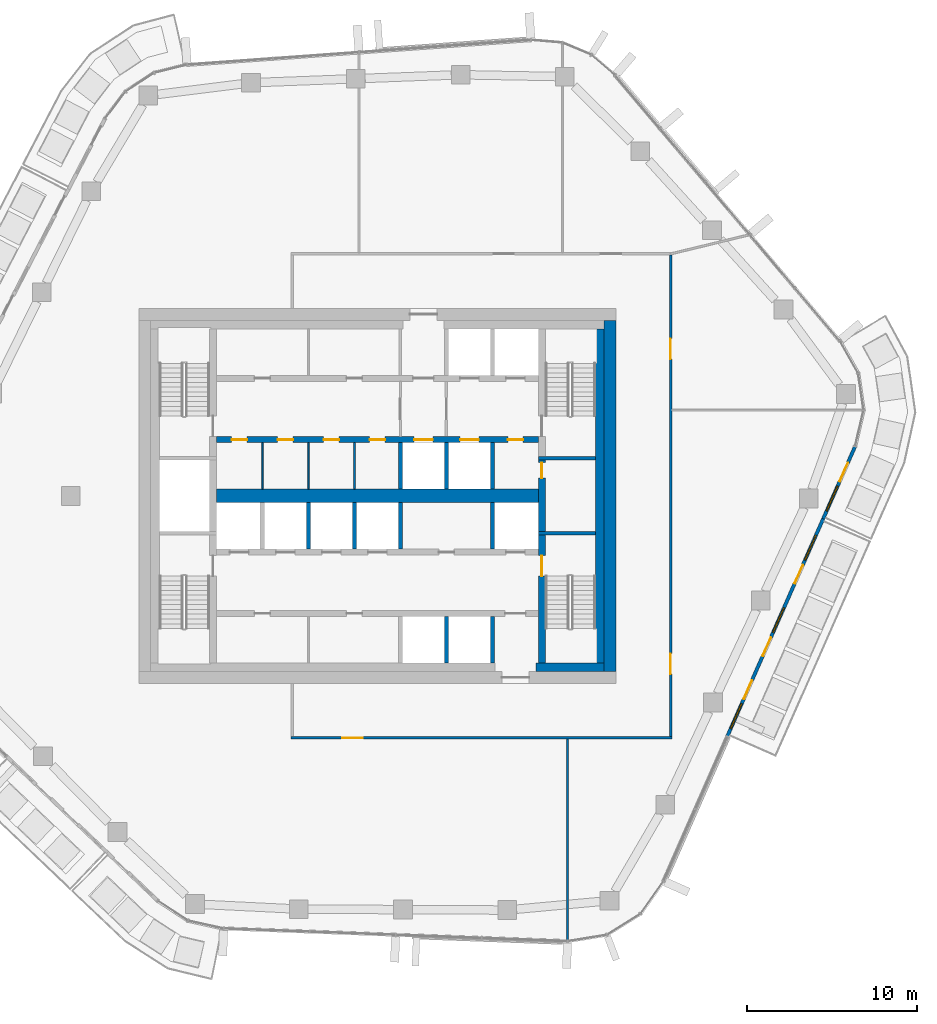
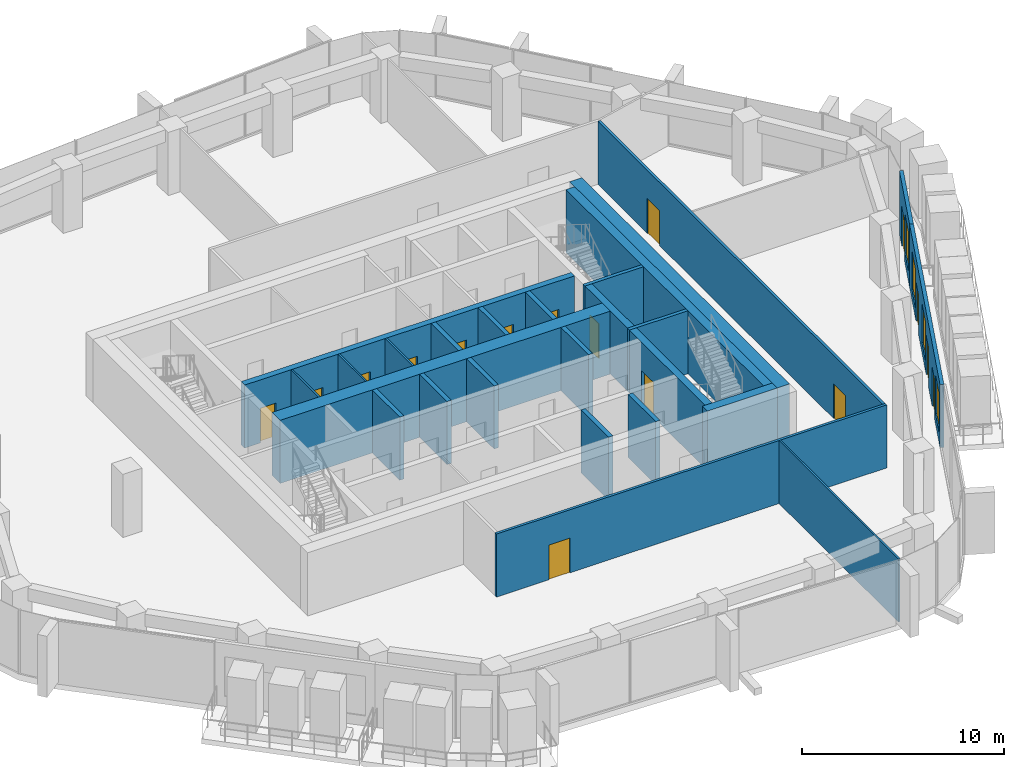
# One storey, part 12 of 21: 26 walls, 16 doors, 4 windows, 20 openings.
"""IFC4 building model written with IfcOpenShell, lengths in metres."""

from ifc_helpers import new_model, si_unit, direction, frame, frame_2d, origin, place, context, subcontext, project, spatial, rectangle, extrude, material, layer, layer_set, type_object, element, fill, save


model = new_model("IFC4")

# Units and contexts
model_context = context("Model", 3, precision=1e-05, world=origin(), true_north=direction((0.0, 1.0)))
body_context = subcontext(model_context, "Body", "Model", "MODEL_VIEW")
ifc_project = project(units=[si_unit("LENGTHUNIT", "METRE"), si_unit("AREAUNIT", "SQUARE_METRE"), si_unit("VOLUMEUNIT", "CUBIC_METRE"), si_unit("PLANEANGLEUNIT", "RADIAN"), si_unit("MASSUNIT", "GRAM", prefix="KILO")], contexts=[model_context])

# Site, building, storey
site_placement = place(None, origin())
site = spatial("IfcSite", under=ifc_project, at=site_placement, CompositionType="ELEMENT")
building_placement = place(site_placement, origin())
building = spatial("IfcBuilding", under=site, at=building_placement, Name="Dongbaek Canopy Tower", CompositionType="ELEMENT")
storey_placement = place(building_placement, frame((0.0, 0.0, 270.60009765625)))
storey = spatial("IfcBuildingStorey", under=building, at=storey_placement, Name="L57", CompositionType="ELEMENT", Elevation=270.60009765625)

# Wall
ifc_material_1 = material(Name="Concrete C60/75", Category="concrete")
ifc_layer_1 = layer(ifc_material_1, 0.800048828125)
ifc_layer_set_1 = layer_set([ifc_layer_1], Name="Core central wall 800 Concrete C60/75")
wall_type_1 = type_object("IfcWallType", Name="Core central wall 800 Concrete C60/75", PredefinedType="SHEAR", material=ifc_layer_set_1)
wall_1_placement = place(storey_placement, frame((-9.449951171875, 0.0, 0.0), z_axis=(0.0, 0.0, 1.0), x_axis=(1.0, 0.0, 0.0)))
element("IfcWall", 1, at=wall_1_placement, inside=storey, type_object=wall_type_1, Name="Core wall", PredefinedType="SHEAR", context=body_context, shape_type="SweptSolid", body=[
    extrude(rectangle(XDim=18.89990234375, YDim=0.800048828125, at=frame_2d((9.449951171875, 0.0))), origin(), (0.0, 0.0, 1.0), 3.81982421875),
])

# Wall, openings, doors
ifc_material_2 = material(Name="Concrete C60/75", Category="concrete")
ifc_layer_2 = layer(ifc_material_2, 0.35009765625)
ifc_layer_set_2 = layer_set([ifc_layer_2], Name="Core lobby wall 350 Concrete C60/75")
wall_type_2 = type_object("IfcWallType", Name="Core lobby wall 350 Concrete C60/75", PredefinedType="SHEAR", material=ifc_layer_set_2)
wall_2_placement = place(storey_placement, frame((9.449951171875, 3.300048828125, 0.0), z_axis=(0.0, 0.0, 1.0), x_axis=(-1.0, 0.0, 0.0)))
wall_2 = element("IfcWall", 2, at=wall_2_placement, inside=storey, type_object=wall_type_2, Name="Core wall", PredefinedType="SHEAR", context=body_context, shape_type="SweptSolid", body=[
    extrude(rectangle(XDim=18.89990234375, YDim=0.35009765625, at=frame_2d((9.449951171875, 0.0))), origin(), (0.0, 0.0, 1.0), 3.81982421875),
])
opening_1_placement = place(wall_2_placement, frame((6.199951171875, 0.0, 0.0)))
opening_1 = element("IfcOpeningElement", 3, at=opening_1_placement, cuts=wall_2, Name="Opening L57-D011", PredefinedType="OPENING", context=body_context, shape_type="SweptSolid", body=[
    extrude(rectangle(XDim=1.10009765625, YDim=2.10009765625, at=frame_2d((0.550048828125, 1.050048828125))), frame((0.0, 0.18505859375, 0.0), z_axis=(0.0, -1.0, 0.0), x_axis=(1.0, 0.0, 0.0)), (0.0, 0.0, 1.0), 0.3701171875),
])
opening_2_placement = place(wall_2_placement, frame((3.5, 0.0, 0.0)))
opening_2 = element("IfcOpeningElement", 4, at=opening_2_placement, cuts=wall_2, Name="Opening L57-D012", PredefinedType="OPENING", context=body_context, shape_type="SweptSolid", body=[
    extrude(rectangle(XDim=1.10009765625, YDim=2.10009765625, at=frame_2d((0.550048828125, 1.050048828125))), frame((0.0, 0.18505859375, 0.0), z_axis=(0.0, -1.0, 0.0), x_axis=(1.0, 0.0, 0.0)), (0.0, 0.0, 1.0), 0.3701171875),
])
opening_3_placement = place(wall_2_placement, frame((0.89990234375, 0.0, 0.0)))
opening_3 = element("IfcOpeningElement", 5, at=opening_3_placement, cuts=wall_2, Name="Opening L57-D013", PredefinedType="OPENING", context=body_context, shape_type="SweptSolid", body=[
    extrude(rectangle(XDim=0.89990234375, YDim=2.10009765625, at=frame_2d((0.449951171875, 1.050048828125))), frame((0.0, 0.18505859375, 0.0), z_axis=(0.0, -1.0, 0.0), x_axis=(1.0, 0.0, 0.0)), (0.0, 0.0, 1.0), 0.3701171875),
])
opening_4_placement = place(wall_2_placement, frame((17.10009765625, 0.0, 0.0)))
opening_4 = element("IfcOpeningElement", 6, at=opening_4_placement, cuts=wall_2, Name="Opening L57-D023", PredefinedType="OPENING", context=body_context, shape_type="SweptSolid", body=[
    extrude(rectangle(XDim=0.89990234375, YDim=2.10009765625, at=frame_2d((0.449951171875, 1.050048828125))), frame((0.0, 0.18505859375, 0.0), z_axis=(0.0, -1.0, 0.0), x_axis=(1.0, 0.0, 0.0)), (0.0, 0.0, 1.0), 0.3701171875),
])
opening_5_placement = place(wall_2_placement, frame((14.39990234375, 0.0, 0.0)))
opening_5 = element("IfcOpeningElement", 7, at=opening_5_placement, cuts=wall_2, Name="Opening L57-D024", PredefinedType="OPENING", context=body_context, shape_type="SweptSolid", body=[
    extrude(rectangle(XDim=0.89990234375, YDim=2.10009765625, at=frame_2d((0.449951171875, 1.050048828125))), frame((0.0, 0.18505859375, 0.0), z_axis=(0.0, -1.0, 0.0), x_axis=(1.0, 0.0, 0.0)), (0.0, 0.0, 1.0), 0.3701171875),
])
opening_6_placement = place(wall_2_placement, frame((11.699951171875, 0.0, 0.0)))
opening_6 = element("IfcOpeningElement", 8, at=opening_6_placement, cuts=wall_2, Name="Opening L57-D025", PredefinedType="OPENING", context=body_context, shape_type="SweptSolid", body=[
    extrude(rectangle(XDim=0.89990234375, YDim=2.10009765625, at=frame_2d((0.449951171875, 1.050048828125))), frame((0.0, 0.18505859375, 0.0), z_axis=(0.0, -1.0, 0.0), x_axis=(1.0, 0.0, 0.0)), (0.0, 0.0, 1.0), 0.3701171875),
])
opening_7_placement = place(wall_2_placement, frame((9.0, 0.0, 0.0)))
opening_7 = element("IfcOpeningElement", 9, at=opening_7_placement, cuts=wall_2, Name="Opening L57-D026", PredefinedType="OPENING", context=body_context, shape_type="SweptSolid", body=[
    extrude(rectangle(XDim=0.89990234375, YDim=2.10009765625, at=frame_2d((0.449951171875, 1.050048828125))), frame((0.0, 0.18505859375, 0.0), z_axis=(0.0, -1.0, 0.0), x_axis=(1.0, 0.0, 0.0)), (0.0, 0.0, 1.0), 0.3701171875),
])
ifc_material_3 = material(Name="Steel", Category="steel")
door_type_1 = type_object("IfcDoorType", Name="Core room door 900 x 2100", OperationType="SINGLE_SWING_LEFT", PredefinedType="DOOR", material=ifc_material_3)
door_1_placement = place(opening_3_placement, origin())
door_1 = element("IfcDoor", 10, at=door_1_placement, inside=storey, type_object=door_type_1, Name="Door L57-D013", OperationType="SINGLE_SWING_LEFT", OverallHeight=2.10009765625, OverallWidth=0.89990234375, PredefinedType="DOOR", context=body_context, shape_type="SweptSolid", body=[
    extrude(rectangle(XDim=0.89990234375, YDim=2.10009765625, at=frame_2d((0.449951171875, 1.050048828125))), frame((0.0, 0.02490234375, 0.0), z_axis=(0.0, -1.0, 0.0), x_axis=(1.0, 0.0, 0.0)), (0.0, 0.0, 1.0), 0.050048828125),
])
fill(opening_3, door_1)
door_2_placement = place(opening_4_placement, origin())
door_2 = element("IfcDoor", 11, at=door_2_placement, inside=storey, type_object=door_type_1, Name="Door L57-D023", OperationType="SINGLE_SWING_RIGHT", OverallHeight=2.10009765625, OverallWidth=0.89990234375, PredefinedType="DOOR", context=body_context, shape_type="SweptSolid", body=[
    extrude(rectangle(XDim=0.89990234375, YDim=2.10009765625, at=frame_2d((0.449951171875, 1.050048828125))), frame((0.0, 0.02490234375, 0.0), z_axis=(0.0, -1.0, 0.0), x_axis=(1.0, 0.0, 0.0)), (0.0, 0.0, 1.0), 0.050048828125),
])
fill(opening_4, door_2)
door_3_placement = place(opening_5_placement, origin())
door_3 = element("IfcDoor", 12, at=door_3_placement, inside=storey, type_object=door_type_1, Name="Door L57-D024", OperationType="SINGLE_SWING_LEFT", OverallHeight=2.10009765625, OverallWidth=0.89990234375, PredefinedType="DOOR", context=body_context, shape_type="SweptSolid", body=[
    extrude(rectangle(XDim=0.89990234375, YDim=2.10009765625, at=frame_2d((0.449951171875, 1.050048828125))), frame((0.0, 0.02490234375, 0.0), z_axis=(0.0, -1.0, 0.0), x_axis=(1.0, 0.0, 0.0)), (0.0, 0.0, 1.0), 0.050048828125),
])
fill(opening_5, door_3)
door_4_placement = place(opening_6_placement, origin())
door_4 = element("IfcDoor", 13, at=door_4_placement, inside=storey, type_object=door_type_1, Name="Door L57-D025", OperationType="SINGLE_SWING_RIGHT", OverallHeight=2.10009765625, OverallWidth=0.89990234375, PredefinedType="DOOR", context=body_context, shape_type="SweptSolid", body=[
    extrude(rectangle(XDim=0.89990234375, YDim=2.10009765625, at=frame_2d((0.449951171875, 1.050048828125))), frame((0.0, 0.02490234375, 0.0), z_axis=(0.0, -1.0, 0.0), x_axis=(1.0, 0.0, 0.0)), (0.0, 0.0, 1.0), 0.050048828125),
])
fill(opening_6, door_4)
door_5_placement = place(opening_7_placement, origin())
door_5 = element("IfcDoor", 14, at=door_5_placement, inside=storey, type_object=door_type_1, Name="Door L57-D026", OperationType="SINGLE_SWING_LEFT", OverallHeight=2.10009765625, OverallWidth=0.89990234375, PredefinedType="DOOR", context=body_context, shape_type="SweptSolid", body=[
    extrude(rectangle(XDim=0.89990234375, YDim=2.10009765625, at=frame_2d((0.449951171875, 1.050048828125))), frame((0.0, 0.02490234375, 0.0), z_axis=(0.0, -1.0, 0.0), x_axis=(1.0, 0.0, 0.0)), (0.0, 0.0, 1.0), 0.050048828125),
])
fill(opening_7, door_5)
ifc_material_4 = material(Name="Stainless steel", Category="steel")
door_type_2 = type_object("IfcDoorType", Name="Lift landing door 1100 x 2100", OperationType="DOUBLE_DOOR_SLIDING", PredefinedType="DOOR", material=ifc_material_4)
door_6_placement = place(opening_1_placement, origin())
door_6 = element("IfcDoor", 15, at=door_6_placement, inside=storey, type_object=door_type_2, Name="Landing door SV1", OperationType="DOUBLE_DOOR_SLIDING", OverallHeight=2.10009765625, OverallWidth=1.10009765625, PredefinedType="DOOR", context=body_context, shape_type="SweptSolid", body=[
    extrude(rectangle(XDim=1.10009765625, YDim=2.10009765625, at=frame_2d((0.550048828125, 1.050048828125))), frame((0.0, 0.02490234375, 0.0), z_axis=(0.0, -1.0, 0.0), x_axis=(1.0, 0.0, 0.0)), (0.0, 0.0, 1.0), 0.050048828125),
])
fill(opening_1, door_6)
door_7_placement = place(opening_2_placement, origin())
door_7 = element("IfcDoor", 16, at=door_7_placement, inside=storey, type_object=door_type_2, Name="Landing door FF3", OperationType="DOUBLE_DOOR_SLIDING", OverallHeight=2.10009765625, OverallWidth=1.10009765625, PredefinedType="DOOR", context=body_context, shape_type="SweptSolid", body=[
    extrude(rectangle(XDim=1.10009765625, YDim=2.10009765625, at=frame_2d((0.550048828125, 1.050048828125))), frame((0.0, 0.02490234375, 0.0), z_axis=(0.0, -1.0, 0.0), x_axis=(1.0, 0.0, 0.0)), (0.0, 0.0, 1.0), 0.050048828125),
])
fill(opening_2, door_7)

# Walls
ifc_material_5 = material(Name="Concrete C70/85", Category="concrete")
ifc_layer_3 = layer(ifc_material_5, 0.699951171875)
ifc_layer_set_3 = layer_set([ifc_layer_3], Name="Core outer wall 700 Concrete C70/85")
wall_type_3 = type_object("IfcWallType", Name="Core outer wall 700 Concrete C70/85", PredefinedType="SHEAR", material=ifc_layer_set_3)
wall_3_placement = place(storey_placement, frame((13.64990234375, 10.300048828125, 0.0), z_axis=(0.0, 0.0, 1.0), x_axis=(0.0, -1.0, 0.0)))
element("IfcWall", 17, at=wall_3_placement, inside=storey, type_object=wall_type_3, Name="Core wall", PredefinedType="SHEAR", context=body_context, shape_type="SweptSolid", body=[
    extrude(rectangle(XDim=20.60009765625, YDim=0.699951171875, at=frame_2d((10.300048828125, 0.0))), origin(), (0.0, 0.0, 1.0), 3.81982421875),
])
ifc_material_6 = material(Name="Concrete C60/75", Category="concrete")
ifc_layer_4 = layer(ifc_material_6, 0.5)
ifc_layer_set_4 = layer_set([ifc_layer_4], Name="Core wall lining 500 Concrete C60/75")
wall_type_4 = type_object("IfcWallType", Name="Core wall lining 500 Concrete C60/75", PredefinedType="SHEAR", material=ifc_layer_set_4)
wall_4_placement = place(storey_placement, frame((13.300048828125, -10.050048828125, 0.0), z_axis=(0.0, 0.0, 1.0), x_axis=(-1.0, 0.0, 0.0)))
element("IfcWall", 18, at=wall_4_placement, inside=storey, type_object=wall_type_4, Name="Core wall lining", PredefinedType="SHEAR", context=body_context, shape_type="SweptSolid", body=[
    extrude(rectangle(XDim=4.0, YDim=0.5, at=frame_2d((2.0, 0.0))), origin(), (0.0, 0.0, 1.0), 3.81982421875),
])
wall_5_placement = place(storey_placement, frame((13.050048828125, 9.800048828125, 0.0), z_axis=(0.0, 0.0, 1.0), x_axis=(0.0, -1.0, 0.0)))
element("IfcWall", 19, at=wall_5_placement, inside=storey, type_object=wall_type_4, Name="Core wall lining", PredefinedType="SHEAR", context=body_context, shape_type="SweptSolid", body=[
    extrude(rectangle(XDim=19.60009765625, YDim=0.5, at=frame_2d((9.800048828125, 0.0))), origin(), (0.0, 0.0, 1.0), 3.81982421875),
])

# Wall, opening, door
ifc_material_7 = material(Name="Gypsum board partition, steel stud, 2 x 15 mm fire board", Category="steel")
ifc_layer_5 = layer(ifc_material_7, 0.14990234375)
ifc_layer_set_5 = layer_set([ifc_layer_5], Name="Fire-rated partition 150 gypsum board")
wall_type_5 = type_object("IfcWallType", Name="Fire-rated partition 150 gypsum board", PredefinedType="PARTITIONING", material=ifc_layer_set_5)
wall_6_placement = place(storey_placement, frame((17.27490234375, -14.199951171875, 0.0), z_axis=(0.0, 0.0, 1.0), x_axis=(-1.0, 0.0, 0.0)))
wall_6 = element("IfcWall", 20, at=wall_6_placement, inside=storey, type_object=wall_type_5, Name="Corridor partition", PredefinedType="PARTITIONING", context=body_context, shape_type="SweptSolid", body=[
    extrude(rectangle(XDim=22.349853515625, YDim=0.14990234375, at=frame_2d((11.1748046875, 0.0))), origin(), (0.0, 0.0, 1.0), 3.81982421875),
])
opening_8_placement = place(wall_6_placement, frame((18.13232421875, 0.0, 0.0)))
opening_8 = element("IfcOpeningElement", 21, at=opening_8_placement, cuts=wall_6, Name="Opening L57-D001", PredefinedType="OPENING", context=body_context, shape_type="SweptSolid", body=[
    extrude(rectangle(XDim=1.199951171875, YDim=2.10009765625, at=frame_2d((0.60009765625, 1.050048828125))), frame((0.0, 0.0849609375, 0.0), z_axis=(0.0, -1.0, 0.0), x_axis=(1.0, 0.0, 0.0)), (0.0, 0.0, 1.0), 0.169921875),
])
ifc_material_8 = material(Name="Timber veneered door leaf", Category="wood")
door_type_3 = type_object("IfcDoorType", Name="Room door 1200 x 2100", OperationType="SINGLE_SWING_LEFT", PredefinedType="DOOR", material=ifc_material_8)
door_8_placement = place(opening_8_placement, origin())
door_8 = element("IfcDoor", 22, at=door_8_placement, inside=storey, type_object=door_type_3, Name="Door L57-D001", OperationType="SINGLE_SWING_RIGHT", OverallHeight=2.10009765625, OverallWidth=1.199951171875, PredefinedType="DOOR", context=body_context, shape_type="SweptSolid", body=[
    extrude(rectangle(XDim=1.199951171875, YDim=2.10009765625, at=frame_2d((0.60009765625, 1.050048828125))), frame((0.0, 0.02490234375, 0.0), z_axis=(0.0, -1.0, 0.0), x_axis=(1.0, 0.0, 0.0)), (0.0, 0.0, 1.0), 0.050048828125),
])
fill(opening_8, door_8)

# Wall, openings, doors
wall_7_placement = place(storey_placement, frame((17.199951171875, 14.125, 0.0), z_axis=(0.0, 0.0, 1.0), x_axis=(0.0, -1.0, 0.0)))
wall_7 = element("IfcWall", 23, at=wall_7_placement, inside=storey, type_object=wall_type_5, Name="Corridor partition", PredefinedType="PARTITIONING", context=body_context, shape_type="SweptSolid", body=[
    extrude(rectangle(XDim=28.25, YDim=0.14990234375, at=frame_2d((14.125, 0.0))), origin(), (0.0, 0.0, 1.0), 3.81982421875),
])
opening_9_placement = place(wall_7_placement, frame((23.378662109375, 0.0, 0.0)))
opening_9 = element("IfcOpeningElement", 24, at=opening_9_placement, cuts=wall_7, Name="Opening L57-D002", PredefinedType="OPENING", context=body_context, shape_type="SweptSolid", body=[
    extrude(rectangle(XDim=1.199951171875, YDim=2.10009765625, at=frame_2d((0.60009765625, 1.050048828125))), frame((0.0, 0.0849609375, 0.0), z_axis=(0.0, -1.0, 0.0), x_axis=(1.0, 0.0, 0.0)), (0.0, 0.0, 1.0), 0.169921875),
])
opening_10_placement = place(wall_7_placement, frame((4.90087890625, 0.0, 0.0)))
opening_10 = element("IfcOpeningElement", 25, at=opening_10_placement, cuts=wall_7, Name="Opening L57-D003", PredefinedType="OPENING", context=body_context, shape_type="SweptSolid", body=[
    extrude(rectangle(XDim=1.199951171875, YDim=2.10009765625, at=frame_2d((0.60009765625, 1.050048828125))), frame((0.0, 0.0849609375, 0.0), z_axis=(0.0, -1.0, 0.0), x_axis=(1.0, 0.0, 0.0)), (0.0, 0.0, 1.0), 0.169921875),
])
door_9_placement = place(opening_9_placement, origin())
door_9 = element("IfcDoor", 26, at=door_9_placement, inside=storey, type_object=door_type_3, Name="Door L57-D002", OperationType="SINGLE_SWING_LEFT", OverallHeight=2.10009765625, OverallWidth=1.199951171875, PredefinedType="DOOR", context=body_context, shape_type="SweptSolid", body=[
    extrude(rectangle(XDim=1.199951171875, YDim=2.10009765625, at=frame_2d((0.60009765625, 1.050048828125))), frame((0.0, 0.02490234375, 0.0), z_axis=(0.0, -1.0, 0.0), x_axis=(1.0, 0.0, 0.0)), (0.0, 0.0, 1.0), 0.050048828125),
])
fill(opening_9, door_9)
door_10_placement = place(opening_10_placement, origin())
door_10 = element("IfcDoor", 27, at=door_10_placement, inside=storey, type_object=door_type_3, Name="Door L57-D003", OperationType="SINGLE_SWING_RIGHT", OverallHeight=2.10009765625, OverallWidth=1.199951171875, PredefinedType="DOOR", context=body_context, shape_type="SweptSolid", body=[
    extrude(rectangle(XDim=1.199951171875, YDim=2.10009765625, at=frame_2d((0.60009765625, 1.050048828125))), frame((0.0, 0.02490234375, 0.0), z_axis=(0.0, -1.0, 0.0), x_axis=(1.0, 0.0, 0.0)), (0.0, 0.0, 1.0), 0.050048828125),
])
fill(opening_10, door_10)

# Walls
ifc_material_9 = material(Name="Concrete C40/50", Category="concrete")
ifc_layer_6 = layer(ifc_material_9, 0.25)
ifc_layer_set_6 = layer_set([ifc_layer_6], Name="Lift shaft wall 250 Concrete C40/50")
wall_type_6 = type_object("IfcWallType", Name="Lift shaft wall 250 Concrete C40/50", PredefinedType="SOLIDWALL", material=ifc_layer_set_6)
for number, where, z_axis, x_axis, name in (
    (28, (6.75, -9.800048828125, 0.0), (0.0, 0.0, 1.0), (0.0, 1.0, 0.0), "Lift shaft wall"),
    (29, (6.75, -3.125, 0.0), (0.0, 0.0, 1.0), (0.0, 1.0, 0.0), "Lift shaft wall"),
    (30, (6.75, 0.39990234375, 0.0), (0.0, 0.0, 1.0), (0.0, 1.0, 0.0), "Lift shaft wall"),
    (31, (4.050048828125, -9.800048828125, 0.0), (0.0, 0.0, 1.0), (0.0, 1.0, 0.0), "Lift shaft wall"),
    (32, (4.050048828125, 0.39990234375, 0.0), (0.0, 0.0, 1.0), (0.0, 1.0, 0.0), "Lift shaft wall"),
    (33, (1.35009765625, -3.125, 0.0), (0.0, 0.0, 1.0), (0.0, 1.0, 0.0), "Lift shaft wall"),
    (34, (1.35009765625, 0.39990234375, 0.0), (0.0, 0.0, 1.0), (0.0, 1.0, 0.0), "Lift shaft wall"),
    (35, (-1.35009765625, -3.125, 0.0), (0.0, 0.0, 1.0), (0.0, 1.0, 0.0), "Lift shaft wall"),
    (36, (-4.050048828125, -3.125, 0.0), (0.0, 0.0, 1.0), (0.0, 1.0, 0.0), "Lift shaft wall"),
):
    element("IfcWall", number, at=place(storey_placement, frame(where, z_axis=z_axis, x_axis=x_axis)), inside=storey, type_object=wall_type_6, Name=name, PredefinedType="SOLIDWALL", context=body_context, shape_type="SweptSolid", body=[
        extrude(rectangle(XDim=2.72509765625, YDim=0.25, at=frame_2d((1.362548828125, 0.0))), origin(), (0.0, 0.0, 1.0), 3.81982421875),
    ])
ifc_material_10 = material(Name="Gypsum board partition, steel stud, 2 x 12.5 mm board", Category="steel")
ifc_layer_7 = layer(ifc_material_10, 0.10009765625)
ifc_layer_set_7 = layer_set([ifc_layer_7], Name="Partition 100 gypsum board")
wall_type_7 = type_object("IfcWallType", Name="Partition 100 gypsum board", PredefinedType="PARTITIONING", material=ifc_layer_set_7)
wall_8_placement = place(storey_placement, frame((11.155029296875, -26.109619140625, 0.0), z_axis=(0.0, 0.0, 1.0), x_axis=(0.0, 1.0, 0.0)))
element("IfcWall", 37, at=wall_8_placement, inside=storey, type_object=wall_type_7, Name="Partition", PredefinedType="PARTITIONING", context=body_context, shape_type="SweptSolid", body=[
    extrude(rectangle(XDim=11.834716796875, YDim=0.10009765625, at=frame_2d((5.91748046875, 0.0))), origin(), (0.0, 0.0, 1.0), 3.81982421875),
])
for number, where, z_axis, x_axis, name in (
    (38, (-1.35009765625, 0.39990234375, 0.0), (0.0, 0.0, 1.0), (0.0, 1.0, 0.0), "Core partition"),
    (39, (-4.050048828125, 0.39990234375, 0.0), (0.0, 0.0, 1.0), (0.0, 1.0, 0.0), "Core partition"),
    (40, (-6.75, 0.39990234375, 0.0), (0.0, 0.0, 1.0), (0.0, 1.0, 0.0), "Core partition"),
):
    element("IfcWall", number, at=place(storey_placement, frame(where, z_axis=z_axis, x_axis=x_axis)), inside=storey, type_object=wall_type_7, Name=name, PredefinedType="PARTITIONING", context=body_context, shape_type="SweptSolid", body=[
        extrude(rectangle(XDim=2.72509765625, YDim=0.10009765625, at=frame_2d((1.362548828125, 0.0))), origin(), (0.0, 0.0, 1.0), 3.81982421875),
    ])
ifc_material_11 = material(Name="Concrete C60/75", Category="concrete")
ifc_layer_8 = layer(ifc_material_11, 0.199951171875)
ifc_layer_set_8 = layer_set([ifc_layer_8], Name="Riser wall 200 Concrete C60/75")
wall_type_8 = type_object("IfcWallType", Name="Riser wall 200 Concrete C60/75", PredefinedType="SHEAR", material=ifc_layer_set_8)
for number, where, z_axis, x_axis, name in (
    (41, (9.449951171875, 2.199951171875, 0.0), (0.0, 0.0, 1.0), (1.0, 0.0, 0.0), "Riser wall"),
    (42, (9.449951171875, -2.199951171875, 0.0), (0.0, 0.0, 1.0), (1.0, 0.0, 0.0), "Riser wall"),
):
    element("IfcWall", number, at=place(storey_placement, frame(where, z_axis=z_axis, x_axis=x_axis)), inside=storey, type_object=wall_type_8, Name=name, PredefinedType="SHEAR", context=body_context, shape_type="SweptSolid", body=[
        extrude(rectangle(XDim=3.35009765625, YDim=0.199951171875, at=frame_2d((1.675048828125, 0.0))), origin(), (0.0, 0.0, 1.0), 3.81982421875),
    ])

# Wall, opening, door
ifc_material_12 = material(Name="Concrete C60/75", Category="concrete")
ifc_layer_9 = layer(ifc_material_12, 0.39990234375)
ifc_layer_set_9 = layer_set([ifc_layer_9], Name="Stair wall 400 Concrete C60/75")
wall_type_9 = type_object("IfcWallType", Name="Stair wall 400 Concrete C60/75", PredefinedType="SHEAR", material=ifc_layer_set_9)
wall_9_placement = place(storey_placement, frame((9.64990234375, -2.300048828125, 0.0), z_axis=(0.0, 0.0, 1.0), x_axis=(0.0, -1.0, 0.0)))
wall_9 = element("IfcWall", 43, at=wall_9_placement, inside=storey, type_object=wall_type_9, Name="Stair wall", PredefinedType="SHEAR", context=body_context, shape_type="SweptSolid", body=[
    extrude(rectangle(XDim=7.5, YDim=0.39990234375, at=frame_2d((3.75, 0.0))), origin(), (0.0, 0.0, 1.0), 3.81982421875),
])
opening_11_placement = place(wall_9_placement, frame((1.199951171875, 0.0, 0.0)))
opening_11 = element("IfcOpeningElement", 44, at=opening_11_placement, cuts=wall_9, Name="Opening L57-D032", PredefinedType="OPENING", context=body_context, shape_type="SweptSolid", body=[
    extrude(rectangle(XDim=1.199951171875, YDim=2.10009765625, at=frame_2d((0.60009765625, 1.050048828125))), frame((0.0, 0.2099609375, 0.0), z_axis=(0.0, -1.0, 0.0), x_axis=(1.0, 0.0, 0.0)), (0.0, 0.0, 1.0), 0.419921875),
])
ifc_material_13 = material(Name="Steel", Category="steel")
door_type_4 = type_object("IfcDoorType", Name="Stair door 1200 x 2100", OperationType="SINGLE_SWING_LEFT", PredefinedType="DOOR", material=ifc_material_13)
door_11_placement = place(opening_11_placement, origin())
door_11 = element("IfcDoor", 45, at=door_11_placement, inside=storey, type_object=door_type_4, Name="Stair B door", OperationType="SINGLE_SWING_RIGHT", OverallHeight=2.10009765625, OverallWidth=1.199951171875, PredefinedType="DOOR", context=body_context, shape_type="SweptSolid", body=[
    extrude(rectangle(XDim=1.199951171875, YDim=2.10009765625, at=frame_2d((0.60009765625, 1.050048828125))), frame((0.0, 0.02490234375, 0.0), z_axis=(0.0, -1.0, 0.0), x_axis=(1.0, 0.0, 0.0)), (0.0, 0.0, 1.0), 0.050048828125),
])
fill(opening_11, door_11)

wall_10_placement = place(storey_placement, frame((9.64990234375, 2.10009765625, 0.0), z_axis=(0.0, 0.0, 1.0), x_axis=(0.0, -1.0, 0.0)))
wall_10 = element("IfcWall", 46, at=wall_10_placement, inside=storey, type_object=wall_type_9, Name="Stair wall", PredefinedType="SHEAR", context=body_context, shape_type="SweptSolid", body=[
    extrude(rectangle(XDim=4.2001953125, YDim=0.39990234375, at=frame_2d((2.10009765625, 0.0))), origin(), (0.0, 0.0, 1.0), 3.81982421875),
])
opening_12_placement = place(wall_10_placement, frame((0.14990234375, 0.0, 0.0)))
opening_12 = element("IfcOpeningElement", 47, at=opening_12_placement, cuts=wall_10, Name="Opening L57-D006", PredefinedType="OPENING", context=body_context, shape_type="SweptSolid", body=[
    extrude(rectangle(XDim=0.89990234375, YDim=2.10009765625, at=frame_2d((0.449951171875, 1.050048828125))), frame((0.0, 0.2099609375, 0.0), z_axis=(0.0, -1.0, 0.0), x_axis=(1.0, 0.0, 0.0)), (0.0, 0.0, 1.0), 0.419921875),
])
door_12_placement = place(opening_12_placement, origin())
door_12 = element("IfcDoor", 48, at=door_12_placement, inside=storey, type_object=door_type_1, Name="Door L57-D006", OperationType="SINGLE_SWING_RIGHT", OverallHeight=2.10009765625, OverallWidth=0.89990234375, PredefinedType="DOOR", context=body_context, shape_type="SweptSolid", body=[
    extrude(rectangle(XDim=0.89990234375, YDim=2.10009765625, at=frame_2d((0.449951171875, 1.050048828125))), frame((0.0, 0.02490234375, 0.0), z_axis=(0.0, -1.0, 0.0), x_axis=(1.0, 0.0, 0.0)), (0.0, 0.0, 1.0), 0.050048828125),
])
fill(opening_12, door_12)

# Wall, openings, doors, windows
ifc_material_14 = material(Name="Aluminium window wall", Category="aluminium")
ifc_layer_10 = layer(ifc_material_14, 0.199951171875)
ifc_layer_set_10 = layer_set([ifc_layer_10], Name="Window wall 200")
wall_type_10 = type_object("IfcWallType", Name="Window wall 200", PredefinedType="SOLIDWALL", material=ifc_layer_set_10)
wall_11_placement = place(storey_placement, frame((20.530517578125, -14.107177734375, 0.0), z_axis=(0.0, 0.0, 1.0), x_axis=(0.40328714446, 0.915073482904, 0.0)))
wall_11 = element("IfcWall", 49, at=wall_11_placement, inside=storey, type_object=wall_type_10, Name="Window wall L57 3", PredefinedType="SOLIDWALL", context=body_context, shape_type="SweptSolid", body=[
    extrude(rectangle(XDim=13.9443359375, YDim=0.199951171875, at=frame_2d((6.97216796875, 0.0))), origin(), (0.0, 0.0, 1.0), 3.81982421875),
])
opening_13_placement = place(wall_11_placement, frame((0.5, 0.0, 0.60009765625)))
opening_13 = element("IfcOpeningElement", 50, at=opening_13_placement, cuts=wall_11, Name="Opening W1", PredefinedType="OPENING", context=body_context, shape_type="SweptSolid", body=[
    extrude(rectangle(XDim=1.60009765625, YDim=2.39990234375, at=frame_2d((0.800048828125, 1.199951171875))), frame((0.0, 0.10986328125, 0.0), z_axis=(0.0, -1.0, 0.0), x_axis=(1.0, 0.0, 0.0)), (0.0, 0.0, 1.0), 0.219970703125),
])
opening_14_placement = place(wall_11_placement, frame((2.39990234375, 0.0, 0.0)))
opening_14 = element("IfcOpeningElement", 51, at=opening_14_placement, cuts=wall_11, Name="Opening L57-B08", PredefinedType="OPENING", context=body_context, shape_type="SweptSolid", body=[
    extrude(rectangle(XDim=1.199951171875, YDim=2.39990234375, at=frame_2d((0.60009765625, 1.199951171875))), frame((0.0, 0.10986328125, 0.0), z_axis=(0.0, -1.0, 0.0), x_axis=(1.0, 0.0, 0.0)), (0.0, 0.0, 1.0), 0.219970703125),
])
opening_15_placement = place(wall_11_placement, frame((6.648193359375, 0.0, 0.60009765625)))
opening_15 = element("IfcOpeningElement", 52, at=opening_15_placement, cuts=wall_11, Name="Opening W1", PredefinedType="OPENING", context=body_context, shape_type="SweptSolid", body=[
    extrude(rectangle(XDim=1.60009765625, YDim=2.39990234375, at=frame_2d((0.800048828125, 1.199951171875))), frame((0.0, 0.10986328125, 0.0), z_axis=(0.0, -1.0, 0.0), x_axis=(1.0, 0.0, 0.0)), (0.0, 0.0, 1.0), 0.219970703125),
])
opening_16_placement = place(wall_11_placement, frame((5.148193359375, 0.0, 0.0)))
opening_16 = element("IfcOpeningElement", 53, at=opening_16_placement, cuts=wall_11, Name="Opening L57-B09", PredefinedType="OPENING", context=body_context, shape_type="SweptSolid", body=[
    extrude(rectangle(XDim=1.199951171875, YDim=2.39990234375, at=frame_2d((0.60009765625, 1.199951171875))), frame((0.0, 0.10986328125, 0.0), z_axis=(0.0, -1.0, 0.0), x_axis=(1.0, 0.0, 0.0)), (0.0, 0.0, 1.0), 0.219970703125),
])
opening_17_placement = place(wall_11_placement, frame((11.296142578125, 0.0, 0.60009765625)))
opening_17 = element("IfcOpeningElement", 54, at=opening_17_placement, cuts=wall_11, Name="Opening W1", PredefinedType="OPENING", context=body_context, shape_type="SweptSolid", body=[
    extrude(rectangle(XDim=1.60009765625, YDim=2.39990234375, at=frame_2d((0.800048828125, 1.199951171875))), frame((0.0, 0.10986328125, 0.0), z_axis=(0.0, -1.0, 0.0), x_axis=(1.0, 0.0, 0.0)), (0.0, 0.0, 1.0), 0.219970703125),
])
opening_18_placement = place(wall_11_placement, frame((9.796142578125, 0.0, 0.0)))
opening_18 = element("IfcOpeningElement", 55, at=opening_18_placement, cuts=wall_11, Name="Opening L57-B10", PredefinedType="OPENING", context=body_context, shape_type="SweptSolid", body=[
    extrude(rectangle(XDim=1.199951171875, YDim=2.39990234375, at=frame_2d((0.60009765625, 1.199951171875))), frame((0.0, 0.10986328125, 0.0), z_axis=(0.0, -1.0, 0.0), x_axis=(1.0, 0.0, 0.0)), (0.0, 0.0, 1.0), 0.219970703125),
])
ifc_material_15 = material(Name="Clear glazing in aluminium frame", Category="aluminium")
door_type_5 = type_object("IfcDoorType", Name="Balcony door BD1 1200 x 2400", OperationType="SLIDING_TO_LEFT", PredefinedType="DOOR", material=ifc_material_15)
door_13_placement = place(opening_14_placement, origin())
door_13 = element("IfcDoor", 56, at=door_13_placement, inside=storey, type_object=door_type_5, Name="Balcony door L57-B08", OperationType="SLIDING_TO_LEFT", OverallHeight=2.39990234375, OverallWidth=1.199951171875, PredefinedType="DOOR", context=body_context, shape_type="SweptSolid", body=[
    extrude(rectangle(XDim=1.199951171875, YDim=2.39990234375, at=frame_2d((0.60009765625, 1.199951171875))), frame((0.0, 0.02490234375, 0.0), z_axis=(0.0, -1.0, 0.0), x_axis=(1.0, 0.0, 0.0)), (0.0, 0.0, 1.0), 0.050048828125),
])
fill(opening_14, door_13)
door_14_placement = place(opening_16_placement, origin())
door_14 = element("IfcDoor", 57, at=door_14_placement, inside=storey, type_object=door_type_5, Name="Balcony door L57-B09", OperationType="SLIDING_TO_LEFT", OverallHeight=2.39990234375, OverallWidth=1.199951171875, PredefinedType="DOOR", context=body_context, shape_type="SweptSolid", body=[
    extrude(rectangle(XDim=1.199951171875, YDim=2.39990234375, at=frame_2d((0.60009765625, 1.199951171875))), frame((0.0, 0.02490234375, 0.0), z_axis=(0.0, -1.0, 0.0), x_axis=(1.0, 0.0, 0.0)), (0.0, 0.0, 1.0), 0.050048828125),
])
fill(opening_16, door_14)
door_15_placement = place(opening_18_placement, origin())
door_15 = element("IfcDoor", 58, at=door_15_placement, inside=storey, type_object=door_type_5, Name="Balcony door L57-B10", OperationType="SLIDING_TO_LEFT", OverallHeight=2.39990234375, OverallWidth=1.199951171875, PredefinedType="DOOR", context=body_context, shape_type="SweptSolid", body=[
    extrude(rectangle(XDim=1.199951171875, YDim=2.39990234375, at=frame_2d((0.60009765625, 1.199951171875))), frame((0.0, 0.02490234375, 0.0), z_axis=(0.0, -1.0, 0.0), x_axis=(1.0, 0.0, 0.0)), (0.0, 0.0, 1.0), 0.050048828125),
])
fill(opening_18, door_15)
ifc_material_16 = material(Name="Clear glazing in aluminium frame", Category="aluminium")
window_type = type_object("IfcWindowType", Name="Window W1 1600 x 2400", PartitioningType="SINGLE_PANEL", PredefinedType="WINDOW", material=ifc_material_16)
window_1_placement = place(opening_13_placement, origin())
window_1 = element("IfcWindow", 59, at=window_1_placement, inside=storey, type_object=window_type, Name="Window L57 3.1", OverallHeight=2.39990234375, OverallWidth=1.60009765625, PartitioningType="SINGLE_PANEL", PredefinedType="WINDOW", context=body_context, shape_type="SweptSolid", body=[
    extrude(rectangle(XDim=1.60009765625, YDim=2.39990234375, at=frame_2d((0.800048828125, 1.199951171875))), frame((0.0, 0.030029296875, 0.0), z_axis=(0.0, -1.0, 0.0), x_axis=(1.0, 0.0, 0.0)), (0.0, 0.0, 1.0), 0.06005859375),
])
fill(opening_13, window_1)
window_2_placement = place(opening_15_placement, origin())
window_2 = element("IfcWindow", 60, at=window_2_placement, inside=storey, type_object=window_type, Name="Window L57 3.2", OverallHeight=2.39990234375, OverallWidth=1.60009765625, PartitioningType="SINGLE_PANEL", PredefinedType="WINDOW", context=body_context, shape_type="SweptSolid", body=[
    extrude(rectangle(XDim=1.60009765625, YDim=2.39990234375, at=frame_2d((0.800048828125, 1.199951171875))), frame((0.0, 0.030029296875, 0.0), z_axis=(0.0, -1.0, 0.0), x_axis=(1.0, 0.0, 0.0)), (0.0, 0.0, 1.0), 0.06005859375),
])
fill(opening_15, window_2)
window_3_placement = place(opening_17_placement, origin())
window_3 = element("IfcWindow", 61, at=window_3_placement, inside=storey, type_object=window_type, Name="Window L57 3.3", OverallHeight=2.39990234375, OverallWidth=1.60009765625, PartitioningType="SINGLE_PANEL", PredefinedType="WINDOW", context=body_context, shape_type="SweptSolid", body=[
    extrude(rectangle(XDim=1.60009765625, YDim=2.39990234375, at=frame_2d((0.800048828125, 1.199951171875))), frame((0.0, 0.030029296875, 0.0), z_axis=(0.0, -1.0, 0.0), x_axis=(1.0, 0.0, 0.0)), (0.0, 0.0, 1.0), 0.06005859375),
])
fill(opening_17, window_3)

# Wall, openings, door, window
wall_12_placement = place(storey_placement, frame((26.154052734375, -1.34716796875, 0.0), z_axis=(0.0, 0.0, 1.0), x_axis=(0.403299401998, 0.915068080718, 0.0)))
wall_12 = element("IfcWall", 62, at=wall_12_placement, inside=storey, type_object=wall_type_10, Name="Window wall L57 4", PredefinedType="SOLIDWALL", context=body_context, shape_type="SweptSolid", body=[
    extrude(rectangle(XDim=4.638916015625, YDim=0.199951171875, at=frame_2d((2.3193359375, 0.0))), origin(), (0.0, 0.0, 1.0), 3.81982421875),
])
opening_19_placement = place(wall_12_placement, frame((0.5, 0.0, 0.60009765625)))
opening_19 = element("IfcOpeningElement", 63, at=opening_19_placement, cuts=wall_12, Name="Opening W1", PredefinedType="OPENING", context=body_context, shape_type="SweptSolid", body=[
    extrude(rectangle(XDim=1.60009765625, YDim=2.39990234375, at=frame_2d((0.800048828125, 1.199951171875))), frame((0.0, 0.10986328125, 0.0), z_axis=(0.0, -1.0, 0.0), x_axis=(1.0, 0.0, 0.0)), (0.0, 0.0, 1.0), 0.219970703125),
])
opening_20_placement = place(wall_12_placement, frame((2.39990234375, 0.0, 0.0)))
opening_20 = element("IfcOpeningElement", 64, at=opening_20_placement, cuts=wall_12, Name="Opening L57-B11", PredefinedType="OPENING", context=body_context, shape_type="SweptSolid", body=[
    extrude(rectangle(XDim=1.199951171875, YDim=2.39990234375, at=frame_2d((0.60009765625, 1.199951171875))), frame((0.0, 0.10986328125, 0.0), z_axis=(0.0, -1.0, 0.0), x_axis=(1.0, 0.0, 0.0)), (0.0, 0.0, 1.0), 0.219970703125),
])
door_16_placement = place(opening_20_placement, origin())
door_16 = element("IfcDoor", 65, at=door_16_placement, inside=storey, type_object=door_type_5, Name="Balcony door L57-B11", OperationType="SLIDING_TO_LEFT", OverallHeight=2.39990234375, OverallWidth=1.199951171875, PredefinedType="DOOR", context=body_context, shape_type="SweptSolid", body=[
    extrude(rectangle(XDim=1.199951171875, YDim=2.39990234375, at=frame_2d((0.60009765625, 1.199951171875))), frame((0.0, 0.02490234375, 0.0), z_axis=(0.0, -1.0, 0.0), x_axis=(1.0, 0.0, 0.0)), (0.0, 0.0, 1.0), 0.050048828125),
])
fill(opening_20, door_16)
window_4_placement = place(opening_19_placement, origin())
window_4 = element("IfcWindow", 66, at=window_4_placement, inside=storey, type_object=window_type, Name="Window L57 4.1", OverallHeight=2.39990234375, OverallWidth=1.60009765625, PartitioningType="SINGLE_PANEL", PredefinedType="WINDOW", context=body_context, shape_type="SweptSolid", body=[
    extrude(rectangle(XDim=1.60009765625, YDim=2.39990234375, at=frame_2d((0.800048828125, 1.199951171875))), frame((0.0, 0.030029296875, 0.0), z_axis=(0.0, -1.0, 0.0), x_axis=(1.0, 0.0, 0.0)), (0.0, 0.0, 1.0), 0.06005859375),
])
fill(opening_19, window_4)

save(model, "model.ifc")
